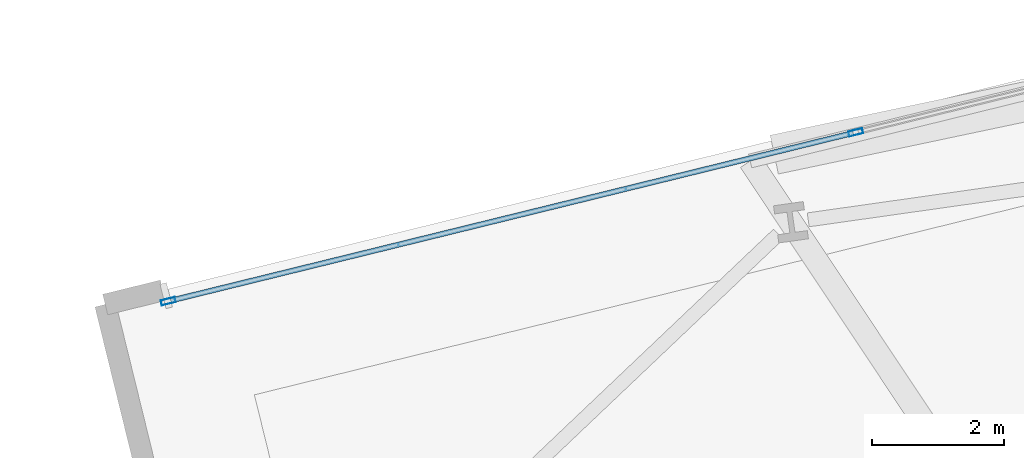
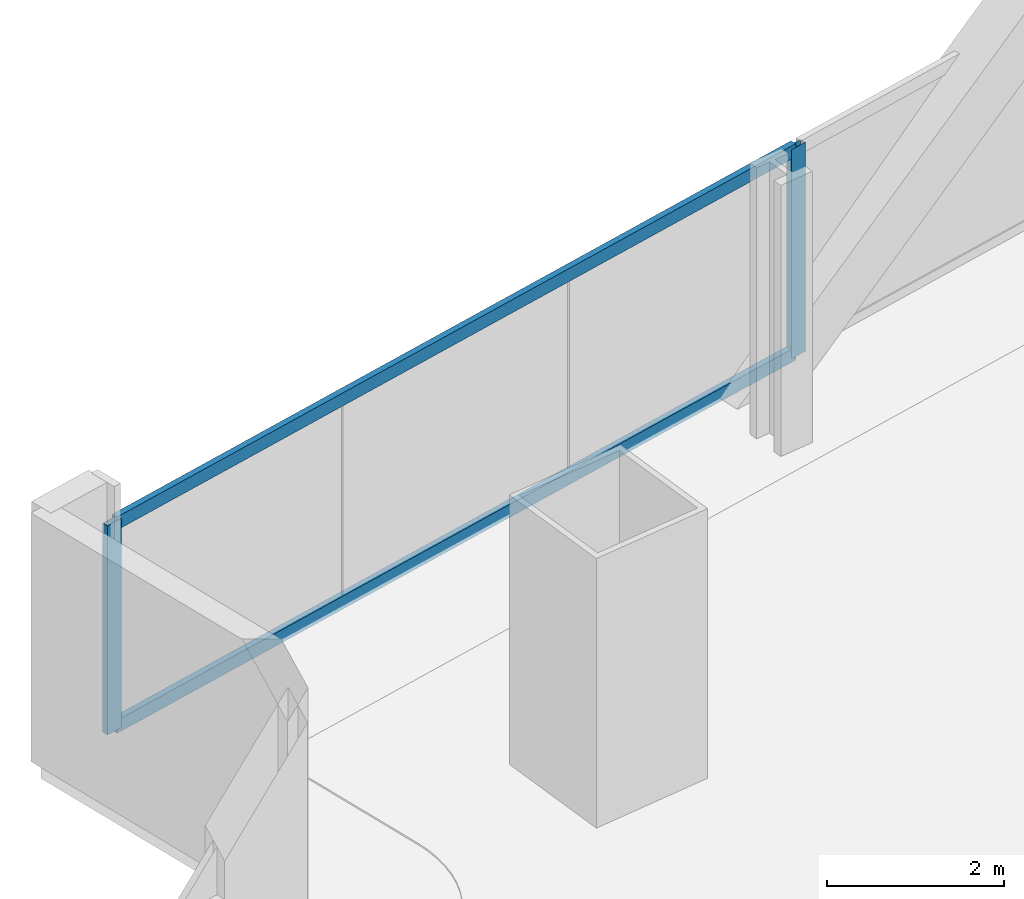
# One storey, part 16 of 32: 4 members, 1 element without a shape of its own.
"""IFC4 building model written with IfcOpenShell, lengths in metres."""

from ifc_helpers import new_model, si_unit, direction, frame, origin, origin_2d, place, context, subcontext, project, spatial, hollow_rectangle, extrude, material, material_profile, profile_set, type_object, element, aggregate, save


model = new_model("IFC4")

# Units and contexts
model_context = context("Model", 3, precision=1e-05, world=origin(), true_north=direction((0.0, 1.0)))
body_context = subcontext(model_context, "Body", "Model", "MODEL_VIEW")
ifc_project = project(units=[si_unit("LENGTHUNIT", "METRE"), si_unit("AREAUNIT", "SQUARE_METRE"), si_unit("VOLUMEUNIT", "CUBIC_METRE"), si_unit("PLANEANGLEUNIT", "RADIAN"), si_unit("MASSUNIT", "GRAM", prefix="KILO")], contexts=[model_context])

# Site, building, storey
site_placement = place(None, origin())
site = spatial("IfcSite", under=ifc_project, at=site_placement, CompositionType="ELEMENT")
building_placement = place(site_placement, origin())
building = spatial("IfcBuilding", under=site, at=building_placement, Name="Haldenkirk Collegiate Tower", CompositionType="ELEMENT")
storey_placement = place(building_placement, frame((0.0, 0.0, 73.949951171875)))
storey = spatial("IfcBuildingStorey", under=building, at=storey_placement, Name="L17", CompositionType="ELEMENT", Elevation=73.949951171875)

# Curtain wall, members
ifc_material = material(Name="Anodised architectural bronze aluminium", Category="aluminium")
curtain_wall_type = type_object("IfcCurtainWallType", Name="CW-SYS1-CONVEX-LOW", PredefinedType="USERDEFINED", material=ifc_material)
curtain_wall_placement = place(storey_placement, origin())
curtain_wall = element("IfcCurtainWall", 1, at=curtain_wall_placement, inside=storey, type_object=curtain_wall_type, Name="L17 Lower tower convex bronze-framed unitised curtain wall", ObjectType="UNITISED CURTAIN WALL", PredefinedType="USERDEFINED")
ifc_material_profile_1 = material_profile(ifc_material, hollow_rectangle(XDim=0.080078125, YDim=0.219970703125, WallThickness=0.0048828125, at=origin_2d()), Name="CW-MUL-1A")
ifc_profile_set_1 = profile_set([ifc_material_profile_1], Name="Anodised architectural bronze aluminium")
member_type_1 = type_object("IfcMemberType", Name="CW-MUL-1A", PredefinedType="MULLION", material=ifc_profile_set_1)
member_1_placement = place(storey_placement, frame((9.035400390625, 45.60400390625, 0.0), z_axis=(0.0, 0.0, 1.0), x_axis=(-0.238533564784, 0.971134253577, 0.0)))
member_1 = element("IfcMember", 2, at=member_1_placement, type_object=member_type_1, Name="CW-1A mullion 1", PredefinedType="MULLION", context=body_context, shape_type="SweptSolid", body=[
    extrude(hollow_rectangle(XDim=0.080078125, YDim=0.219970703125, WallThickness=0.0048828125, at=origin_2d()), origin(), (0.0, 0.0, 1.0), 2.89111328125),
])
member_2_placement = place(storey_placement, frame((19.460693359375, 48.16455078125, 0.0), z_axis=(0.0, 0.0, 1.0), x_axis=(-0.238533564784, 0.971134253577, 0.0)))
member_2 = element("IfcMember", 3, at=member_2_placement, type_object=member_type_1, Name="CW-1A mullion 2", PredefinedType="MULLION", context=body_context, shape_type="SweptSolid", body=[
    extrude(hollow_rectangle(XDim=0.080078125, YDim=0.219970703125, WallThickness=0.0048828125, at=origin_2d()), origin(), (0.0, 0.0, 1.0), 2.89111328125),
])
ifc_material_profile_2 = material_profile(ifc_material, hollow_rectangle(XDim=0.080078125, YDim=0.179931640625, WallThickness=0.0048828125, at=origin_2d()), Name="CW-TRN-1A")
ifc_profile_set_2 = profile_set([ifc_material_profile_2], Name="Anodised architectural bronze aluminium")
member_type_2 = type_object("IfcMemberType", Name="CW-TRN-1A", PredefinedType="USERDEFINED", material=ifc_profile_set_2)
member_3_placement = place(storey_placement, frame((9.07421875, 45.613525390625, 0.0400390625), z_axis=(0.971135677329, 0.238527768233, 0.0), x_axis=(-0.238527768233, 0.971135677329, 0.0)))
member_3 = element("IfcMember", 4, at=member_3_placement, type_object=member_type_2, Name="CW-1A transom 1.1", ObjectType="TRANSOM", PredefinedType="USERDEFINED", context=body_context, shape_type="SweptSolid", body=[
    extrude(hollow_rectangle(XDim=0.080078125, YDim=0.179931640625, WallThickness=0.0048828125, at=origin_2d()), origin(), (0.0, 0.0, 1.0), 10.655029296875),
])
member_4_placement = place(storey_placement, frame((9.07421875, 45.613525390625, 2.85107421875), z_axis=(0.971135677329, 0.238527768233, 0.0), x_axis=(-0.238527768233, 0.971135677329, 0.0)))
member_4 = element("IfcMember", 5, at=member_4_placement, type_object=member_type_2, Name="CW-1A transom 1.2", ObjectType="TRANSOM", PredefinedType="USERDEFINED", context=body_context, shape_type="SweptSolid", body=[
    extrude(hollow_rectangle(XDim=0.080078125, YDim=0.179931640625, WallThickness=0.0048828125, at=origin_2d()), origin(), (0.0, 0.0, 1.0), 10.655029296875),
])
aggregate(curtain_wall, [member_1, member_2, member_3, member_4])

save(model, "model.ifc")
